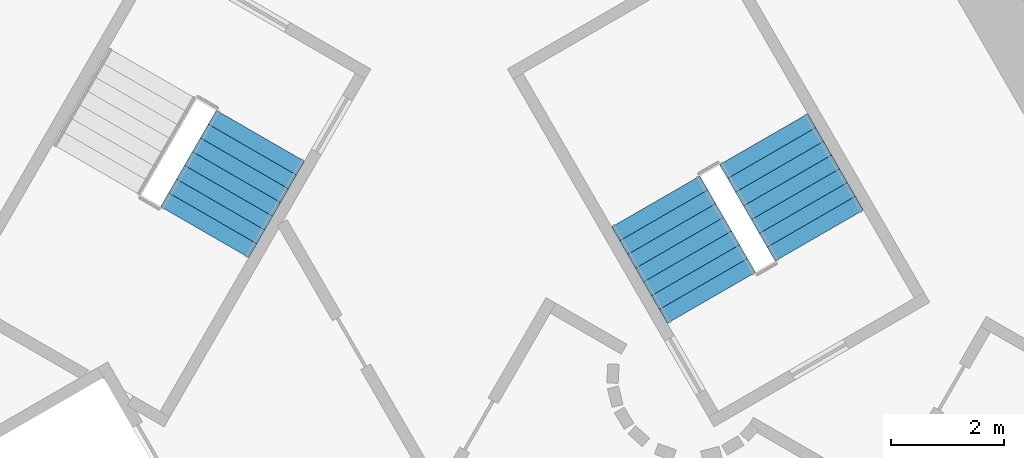
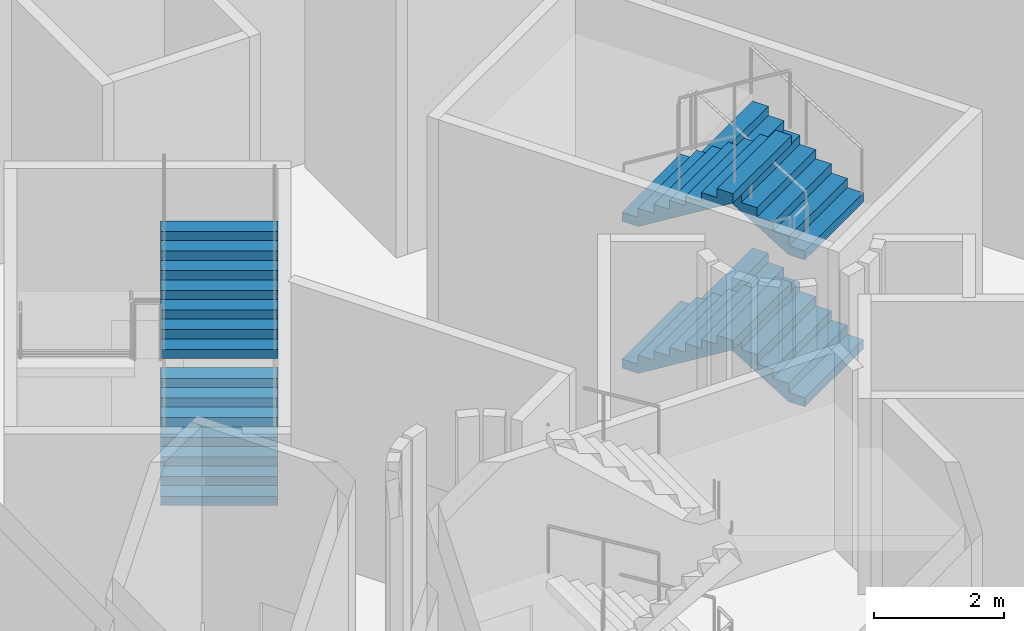
# One storey, part 10 of 12: 6 stair flights, 2 elements without a shape of their own.
"""IFC4 building model written with IfcOpenShell, lengths in metres."""

from ifc_helpers import new_model, si_unit, direction, frame, origin, place, context, subcontext, project, spatial, triangles, material, type_object, element, aggregate, save


model = new_model("IFC4")

# Units and contexts
model_context = context("Model", 3, precision=1e-05, world=origin(), true_north=direction((0.0, 1.0)))
body_context = subcontext(model_context, "Body", "Model", "MODEL_VIEW")
ifc_project = project(units=[si_unit("LENGTHUNIT", "METRE"), si_unit("AREAUNIT", "SQUARE_METRE"), si_unit("VOLUMEUNIT", "CUBIC_METRE"), si_unit("PLANEANGLEUNIT", "RADIAN"), si_unit("MASSUNIT", "GRAM", prefix="KILO")], contexts=[model_context])

# Site, building, storey
site_placement = place(None, origin())
site = spatial("IfcSite", under=ifc_project, at=site_placement, CompositionType="ELEMENT")
building_placement = place(site_placement, origin())
building = spatial("IfcBuilding", under=site, at=building_placement, Name="Entoto Arch Interchange Tower", CompositionType="ELEMENT")
storey_placement = place(building_placement, frame((0.0, 0.0, -11.0)))
storey = spatial("IfcBuildingStorey", under=building, at=storey_placement, Name="B2", CompositionType="ELEMENT", Elevation=-11.0)

# Stair, stair flights
ifc_material = material(Name="Concrete C40/50", Category="concrete")
stair_type = type_object("IfcStairType", Name="EXIT STAIR RC 1800", PredefinedType="HALF_TURN_STAIR", material=ifc_material)
stair_1_placement = place(storey_placement, origin())
stair_1 = element("IfcStair", 1, at=stair_1_placement, inside=storey, type_object=stair_type, Name="B2 Exit stair NE", PredefinedType="HALF_TURN_STAIR")
stair_flight_type = type_object("IfcStairFlightType", Name="EXIT STAIR FLIGHT RC 1800", PredefinedType="STRAIGHT", material=ifc_material)
stair_flight_1_placement = place(storey_placement, frame((6.7138671875, 4.470947265625, 0.0), z_axis=(0.0, 0.0, 1.0), x_axis=(-0.5, 0.866025403784, 0.0)))
stair_flight_1 = element("IfcStairFlight", 2, at=stair_flight_1_placement, type_object=stair_flight_type, Name="ST-NE flight 1", NumberOfRisers=8, NumberOfTreads=7, PredefinedType="STRAIGHT", RiserHeight=0.171875, TreadLength=0.28, context=body_context, shape_type="Tessellation", body=[
    triangles([(-0.003, -0.900024, 0.0), (-0.003, -0.900024, 0.171875), (0.28, -0.900024, 0.171875), (0.28, -0.900024, 0.34375), (0.56, -0.900024, 0.34375), (0.56, -0.900024, 0.515625), (0.84, -0.900024, 0.515625), (0.84, -0.900024, 0.6875), (1.12, -0.900024, 0.6875), (1.12, -0.900024, 0.859375), (1.4, -0.900024, 0.859375), (1.4, -0.900024, 1.03125), (1.68, -0.900024, 1.03125), (1.68, -0.900024, 1.203125), (1.96, -0.900024, 1.203125), (1.963, -0.900024, 1.203125), (1.963, -0.900024, 1.029076), (0.286542, -0.900024, 0.0), (-0.003, 0.900024, 0.0), (-0.003, 0.900024, 0.171875), (0.28, 0.900024, 0.171875), (0.28, 0.900024, 0.34375), (0.56, 0.900024, 0.34375), (0.56, 0.900024, 0.515625), (0.84, 0.900024, 0.515625), (0.84, 0.900024, 0.6875), (1.12, 0.900024, 0.6875), (1.12, 0.900024, 0.859375), (1.4, 0.900024, 0.859375), (1.4, 0.900024, 1.03125), (1.68, 0.900024, 1.03125), (1.68, 0.900024, 1.203125), (1.96, 0.900024, 1.203125), (1.963, 0.900024, 1.203125), (1.963, 0.900024, 1.029076), (0.286542, 0.900024, 0.0), (-0.003, -0.450012, 0.0), (-0.003, -0.450012, 0.171875), (-0.003, 0.0, 0.0), (-0.003, 0.0, 0.171875), (-0.003, 0.450012, 0.0), (-0.003, 0.450012, 0.171875), (0.28, -0.450012, 0.171875), (0.28, 0.0, 0.171875), (0.28, 0.450012, 0.171875), (0.28, -0.450012, 0.34375), (0.28, 0.0, 0.34375), (0.28, 0.450012, 0.34375), (0.56, -0.450012, 0.34375), (0.56, 0.0, 0.34375), (0.56, 0.450012, 0.34375), (0.56, -0.450012, 0.515625), (0.56, 0.0, 0.515625), (0.56, 0.450012, 0.515625), (0.84, -0.450012, 0.515625), (0.84, 0.0, 0.515625), (0.84, 0.450012, 0.515625), (0.84, -0.450012, 0.6875), (0.84, 0.0, 0.6875), (0.84, 0.450012, 0.6875), (1.12, -0.450012, 0.6875), (1.12, 0.0, 0.6875), (1.12, 0.450012, 0.6875), (1.12, -0.450012, 0.859375), (1.12, 0.0, 0.859375), (1.12, 0.450012, 0.859375), (1.4, -0.450012, 0.859375), (1.4, 0.0, 0.859375), (1.4, 0.450012, 0.859375), (1.4, -0.450012, 1.03125), (1.4, 0.0, 1.03125), (1.4, 0.450012, 1.03125), (1.68, -0.450012, 1.03125), (1.68, 0.0, 1.03125), (1.68, 0.450012, 1.03125), (1.68, -0.450012, 1.203125), (1.68, 0.0, 1.203125), (1.68, 0.450012, 1.203125), (1.96, -0.450012, 1.203125), (1.96, 0.0, 1.203125), (1.96, 0.450012, 1.203125), (1.963, -0.450012, 1.203125), (1.963, 0.0, 1.203125), (1.963, 0.450012, 1.203125), (1.963, -0.450012, 1.029076), (1.963, 0.0, 1.029076), (1.963, 0.450012, 1.029076), (0.286542, -0.450012, 0.0), (0.286542, 0.0, 0.0), (0.286542, 0.450012, 0.0)], [[1, 18, 17], [17, 16, 15], [17, 15, 14], [17, 14, 13], [17, 13, 12], [17, 12, 11], [11, 10, 9], [17, 11, 9], [9, 8, 7], [17, 9, 7], [7, 6, 5], [17, 7, 5], [5, 4, 3], [17, 5, 3], [1, 17, 3], [3, 2, 1], [19, 35, 36], [35, 33, 34], [35, 32, 33], [35, 31, 32], [35, 30, 31], [35, 29, 30], [29, 27, 28], [35, 27, 29], [27, 25, 26], [35, 25, 27], [25, 23, 24], [35, 23, 25], [23, 21, 22], [35, 21, 23], [19, 21, 35], [21, 19, 20], [1, 2, 38], [1, 38, 37], [37, 38, 40], [37, 40, 39], [39, 40, 42], [39, 42, 41], [41, 42, 20], [41, 20, 19], [2, 3, 43], [2, 43, 38], [38, 43, 44], [38, 44, 40], [40, 44, 45], [40, 45, 42], [42, 45, 21], [42, 21, 20], [3, 4, 46], [3, 46, 43], [43, 46, 47], [43, 47, 44], [44, 47, 48], [44, 48, 45], [45, 48, 22], [45, 22, 21], [4, 5, 49], [4, 49, 46], [46, 49, 50], [46, 50, 47], [47, 50, 51], [47, 51, 48], [48, 51, 23], [48, 23, 22], [5, 6, 52], [5, 52, 49], [49, 52, 53], [49, 53, 50], [50, 53, 54], [50, 54, 51], [51, 54, 24], [51, 24, 23], [6, 7, 55], [6, 55, 52], [52, 55, 56], [52, 56, 53], [53, 56, 57], [53, 57, 54], [54, 57, 25], [54, 25, 24], [7, 8, 58], [7, 58, 55], [55, 58, 59], [55, 59, 56], [56, 59, 60], [56, 60, 57], [57, 60, 26], [57, 26, 25], [8, 9, 61], [8, 61, 58], [58, 61, 62], [58, 62, 59], [59, 62, 63], [59, 63, 60], [60, 63, 27], [60, 27, 26], [9, 10, 64], [9, 64, 61], [61, 64, 65], [61, 65, 62], [62, 65, 66], [62, 66, 63], [63, 66, 28], [63, 28, 27], [10, 11, 67], [10, 67, 64], [64, 67, 68], [64, 68, 65], [65, 68, 69], [65, 69, 66], [66, 69, 29], [66, 29, 28], [11, 12, 70], [11, 70, 67], [67, 70, 71], [67, 71, 68], [68, 71, 72], [68, 72, 69], [69, 72, 30], [69, 30, 29], [12, 13, 73], [12, 73, 70], [70, 73, 74], [70, 74, 71], [71, 74, 75], [71, 75, 72], [72, 75, 31], [72, 31, 30], [13, 14, 76], [13, 76, 73], [73, 76, 77], [73, 77, 74], [74, 77, 78], [74, 78, 75], [75, 78, 32], [75, 32, 31], [14, 15, 79], [14, 79, 76], [76, 79, 80], [76, 80, 77], [77, 80, 81], [77, 81, 78], [78, 81, 33], [78, 33, 32], [15, 16, 82], [15, 82, 79], [79, 82, 83], [79, 83, 80], [80, 83, 84], [80, 84, 81], [81, 84, 34], [81, 34, 33], [16, 17, 85], [16, 85, 82], [82, 85, 86], [82, 86, 83], [83, 86, 87], [83, 87, 84], [84, 87, 35], [84, 35, 34], [17, 18, 88], [17, 88, 85], [85, 88, 89], [85, 89, 86], [86, 89, 90], [86, 90, 87], [87, 90, 36], [87, 36, 35], [18, 1, 37], [18, 37, 88], [88, 37, 39], [88, 39, 89], [89, 39, 41], [89, 41, 90], [90, 41, 19], [90, 19, 36]], closed=True),
])
stair_flight_2_placement = place(storey_placement, frame((3.82861328125, 5.068359375, 1.375), z_axis=(0.0, 0.0, 1.0), x_axis=(0.5, -0.866025403784, 0.0)))
stair_flight_2 = element("IfcStairFlight", 3, at=stair_flight_2_placement, type_object=stair_flight_type, Name="ST-NE flight 2", NumberOfRisers=8, NumberOfTreads=7, PredefinedType="STRAIGHT", RiserHeight=0.171875, TreadLength=0.28, context=body_context, shape_type="Tessellation", body=[
    triangles([(-0.003, -0.900024, 0.0), (-0.003, -0.900024, 0.171875), (0.28, -0.900024, 0.171875), (0.28, -0.900024, 0.34375), (0.56, -0.900024, 0.34375), (0.56, -0.900024, 0.515625), (0.84, -0.900024, 0.515625), (0.84, -0.900024, 0.6875), (1.12, -0.900024, 0.6875), (1.12, -0.900024, 0.859375), (1.4, -0.900024, 0.859375), (1.4, -0.900024, 1.03125), (1.68, -0.900024, 1.03125), (1.68, -0.900024, 1.203125), (1.96, -0.900024, 1.203125), (1.963, -0.900024, 1.203125), (1.963, -0.900024, 1.029076), (0.286542, -0.900024, 0.0), (-0.003, 0.900024, 0.0), (-0.003, 0.900024, 0.171875), (0.28, 0.900024, 0.171875), (0.28, 0.900024, 0.34375), (0.56, 0.900024, 0.34375), (0.56, 0.900024, 0.515625), (0.84, 0.900024, 0.515625), (0.84, 0.900024, 0.6875), (1.12, 0.900024, 0.6875), (1.12, 0.900024, 0.859375), (1.4, 0.900024, 0.859375), (1.4, 0.900024, 1.03125), (1.68, 0.900024, 1.03125), (1.68, 0.900024, 1.203125), (1.96, 0.900024, 1.203125), (1.963, 0.900024, 1.203125), (1.963, 0.900024, 1.029076), (0.286542, 0.900024, 0.0), (-0.003, -0.450012, 0.0), (-0.003, -0.450012, 0.171875), (-0.003, 0.0, 0.0), (-0.003, 0.0, 0.171875), (-0.003, 0.450012, 0.0), (-0.003, 0.450012, 0.171875), (0.28, -0.450012, 0.171875), (0.28, 0.0, 0.171875), (0.28, 0.450012, 0.171875), (0.28, -0.450012, 0.34375), (0.28, 0.0, 0.34375), (0.28, 0.450012, 0.34375), (0.56, -0.450012, 0.34375), (0.56, 0.0, 0.34375), (0.56, 0.450012, 0.34375), (0.56, -0.450012, 0.515625), (0.56, 0.0, 0.515625), (0.56, 0.450012, 0.515625), (0.84, -0.450012, 0.515625), (0.84, 0.0, 0.515625), (0.84, 0.450012, 0.515625), (0.84, -0.450012, 0.6875), (0.84, 0.0, 0.6875), (0.84, 0.450012, 0.6875), (1.12, -0.450012, 0.6875), (1.12, 0.0, 0.6875), (1.12, 0.450012, 0.6875), (1.12, -0.450012, 0.859375), (1.12, 0.0, 0.859375), (1.12, 0.450012, 0.859375), (1.4, -0.450012, 0.859375), (1.4, 0.0, 0.859375), (1.4, 0.450012, 0.859375), (1.4, -0.450012, 1.03125), (1.4, 0.0, 1.03125), (1.4, 0.450012, 1.03125), (1.68, -0.450012, 1.03125), (1.68, 0.0, 1.03125), (1.68, 0.450012, 1.03125), (1.68, -0.450012, 1.203125), (1.68, 0.0, 1.203125), (1.68, 0.450012, 1.203125), (1.96, -0.450012, 1.203125), (1.96, 0.0, 1.203125), (1.96, 0.450012, 1.203125), (1.963, -0.450012, 1.203125), (1.963, 0.0, 1.203125), (1.963, 0.450012, 1.203125), (1.963, -0.450012, 1.029076), (1.963, 0.0, 1.029076), (1.963, 0.450012, 1.029076), (0.286542, -0.450012, 0.0), (0.286542, 0.0, 0.0), (0.286542, 0.450012, 0.0)], [[1, 18, 17], [17, 16, 15], [17, 15, 14], [17, 14, 13], [17, 13, 12], [17, 12, 11], [11, 10, 9], [17, 11, 9], [9, 8, 7], [17, 9, 7], [7, 6, 5], [17, 7, 5], [5, 4, 3], [17, 5, 3], [1, 17, 3], [3, 2, 1], [19, 35, 36], [35, 33, 34], [35, 32, 33], [35, 31, 32], [35, 30, 31], [35, 29, 30], [29, 27, 28], [35, 27, 29], [27, 25, 26], [35, 25, 27], [25, 23, 24], [35, 23, 25], [23, 21, 22], [35, 21, 23], [19, 21, 35], [21, 19, 20], [1, 2, 38], [1, 38, 37], [37, 38, 40], [37, 40, 39], [39, 40, 42], [39, 42, 41], [41, 42, 20], [41, 20, 19], [2, 3, 43], [2, 43, 38], [38, 43, 44], [38, 44, 40], [40, 44, 45], [40, 45, 42], [42, 45, 21], [42, 21, 20], [3, 4, 46], [3, 46, 43], [43, 46, 47], [43, 47, 44], [44, 47, 48], [44, 48, 45], [45, 48, 22], [45, 22, 21], [4, 5, 49], [4, 49, 46], [46, 49, 50], [46, 50, 47], [47, 50, 51], [47, 51, 48], [48, 51, 23], [48, 23, 22], [5, 6, 52], [5, 52, 49], [49, 52, 53], [49, 53, 50], [50, 53, 54], [50, 54, 51], [51, 54, 24], [51, 24, 23], [6, 7, 55], [6, 55, 52], [52, 55, 56], [52, 56, 53], [53, 56, 57], [53, 57, 54], [54, 57, 25], [54, 25, 24], [7, 8, 58], [7, 58, 55], [55, 58, 59], [55, 59, 56], [56, 59, 60], [56, 60, 57], [57, 60, 26], [57, 26, 25], [8, 9, 61], [8, 61, 58], [58, 61, 62], [58, 62, 59], [59, 62, 63], [59, 63, 60], [60, 63, 27], [60, 27, 26], [9, 10, 64], [9, 64, 61], [61, 64, 65], [61, 65, 62], [62, 65, 66], [62, 66, 63], [63, 66, 28], [63, 28, 27], [10, 11, 67], [10, 67, 64], [64, 67, 68], [64, 68, 65], [65, 68, 69], [65, 69, 66], [66, 69, 29], [66, 29, 28], [11, 12, 70], [11, 70, 67], [67, 70, 71], [67, 71, 68], [68, 71, 72], [68, 72, 69], [69, 72, 30], [69, 30, 29], [12, 13, 73], [12, 73, 70], [70, 73, 74], [70, 74, 71], [71, 74, 75], [71, 75, 72], [72, 75, 31], [72, 31, 30], [13, 14, 76], [13, 76, 73], [73, 76, 77], [73, 77, 74], [74, 77, 78], [74, 78, 75], [75, 78, 32], [75, 32, 31], [14, 15, 79], [14, 79, 76], [76, 79, 80], [76, 80, 77], [77, 80, 81], [77, 81, 78], [78, 81, 33], [78, 33, 32], [15, 16, 82], [15, 82, 79], [79, 82, 83], [79, 83, 80], [80, 83, 84], [80, 84, 81], [81, 84, 34], [81, 34, 33], [16, 17, 85], [16, 85, 82], [82, 85, 86], [82, 86, 83], [83, 86, 87], [83, 87, 84], [84, 87, 35], [84, 35, 34], [17, 18, 88], [17, 88, 85], [85, 88, 89], [85, 89, 86], [86, 89, 90], [86, 90, 87], [87, 90, 36], [87, 36, 35], [18, 1, 37], [18, 37, 88], [88, 37, 39], [88, 39, 89], [89, 39, 41], [89, 41, 90], [90, 41, 19], [90, 19, 36]], closed=True),
])
stair_flight_3_placement = place(storey_placement, frame((6.7138671875, 4.470947265625, 2.75), z_axis=(0.0, 0.0, 1.0), x_axis=(-0.5, 0.866025403784, 0.0)))
stair_flight_3 = element("IfcStairFlight", 4, at=stair_flight_3_placement, type_object=stair_flight_type, Name="ST-NE flight 3", NumberOfRisers=8, NumberOfTreads=7, PredefinedType="STRAIGHT", RiserHeight=0.171875, TreadLength=0.28, context=body_context, shape_type="Tessellation", body=[
    triangles([(-0.003, -0.900024, 0.0), (-0.003, -0.900024, 0.171875), (0.28, -0.900024, 0.171875), (0.28, -0.900024, 0.34375), (0.56, -0.900024, 0.34375), (0.56, -0.900024, 0.515625), (0.84, -0.900024, 0.515625), (0.84, -0.900024, 0.6875), (1.12, -0.900024, 0.6875), (1.12, -0.900024, 0.859375), (1.4, -0.900024, 0.859375), (1.4, -0.900024, 1.03125), (1.68, -0.900024, 1.03125), (1.68, -0.900024, 1.203125), (1.96, -0.900024, 1.203125), (1.963, -0.900024, 1.203125), (1.963, -0.900024, 1.029076), (0.286542, -0.900024, 0.0), (-0.003, 0.900024, 0.0), (-0.003, 0.900024, 0.171875), (0.28, 0.900024, 0.171875), (0.28, 0.900024, 0.34375), (0.56, 0.900024, 0.34375), (0.56, 0.900024, 0.515625), (0.84, 0.900024, 0.515625), (0.84, 0.900024, 0.6875), (1.12, 0.900024, 0.6875), (1.12, 0.900024, 0.859375), (1.4, 0.900024, 0.859375), (1.4, 0.900024, 1.03125), (1.68, 0.900024, 1.03125), (1.68, 0.900024, 1.203125), (1.96, 0.900024, 1.203125), (1.963, 0.900024, 1.203125), (1.963, 0.900024, 1.029076), (0.286542, 0.900024, 0.0), (-0.003, -0.450012, 0.0), (-0.003, -0.450012, 0.171875), (-0.003, 0.0, 0.0), (-0.003, 0.0, 0.171875), (-0.003, 0.450012, 0.0), (-0.003, 0.450012, 0.171875), (0.28, -0.450012, 0.171875), (0.28, 0.0, 0.171875), (0.28, 0.450012, 0.171875), (0.28, -0.450012, 0.34375), (0.28, 0.0, 0.34375), (0.28, 0.450012, 0.34375), (0.56, -0.450012, 0.34375), (0.56, 0.0, 0.34375), (0.56, 0.450012, 0.34375), (0.56, -0.450012, 0.515625), (0.56, 0.0, 0.515625), (0.56, 0.450012, 0.515625), (0.84, -0.450012, 0.515625), (0.84, 0.0, 0.515625), (0.84, 0.450012, 0.515625), (0.84, -0.450012, 0.6875), (0.84, 0.0, 0.6875), (0.84, 0.450012, 0.6875), (1.12, -0.450012, 0.6875), (1.12, 0.0, 0.6875), (1.12, 0.450012, 0.6875), (1.12, -0.450012, 0.859375), (1.12, 0.0, 0.859375), (1.12, 0.450012, 0.859375), (1.4, -0.450012, 0.859375), (1.4, 0.0, 0.859375), (1.4, 0.450012, 0.859375), (1.4, -0.450012, 1.03125), (1.4, 0.0, 1.03125), (1.4, 0.450012, 1.03125), (1.68, -0.450012, 1.03125), (1.68, 0.0, 1.03125), (1.68, 0.450012, 1.03125), (1.68, -0.450012, 1.203125), (1.68, 0.0, 1.203125), (1.68, 0.450012, 1.203125), (1.96, -0.450012, 1.203125), (1.96, 0.0, 1.203125), (1.96, 0.450012, 1.203125), (1.963, -0.450012, 1.203125), (1.963, 0.0, 1.203125), (1.963, 0.450012, 1.203125), (1.963, -0.450012, 1.029076), (1.963, 0.0, 1.029076), (1.963, 0.450012, 1.029076), (0.286542, -0.450012, 0.0), (0.286542, 0.0, 0.0), (0.286542, 0.450012, 0.0)], [[1, 18, 17], [17, 16, 15], [17, 15, 14], [17, 14, 13], [17, 13, 12], [17, 12, 11], [11, 10, 9], [17, 11, 9], [9, 8, 7], [17, 9, 7], [7, 6, 5], [17, 7, 5], [5, 4, 3], [17, 5, 3], [1, 17, 3], [3, 2, 1], [19, 35, 36], [35, 33, 34], [35, 32, 33], [35, 31, 32], [35, 30, 31], [35, 29, 30], [29, 27, 28], [35, 27, 29], [27, 25, 26], [35, 25, 27], [25, 23, 24], [35, 23, 25], [23, 21, 22], [35, 21, 23], [19, 21, 35], [21, 19, 20], [1, 2, 38], [1, 38, 37], [37, 38, 40], [37, 40, 39], [39, 40, 42], [39, 42, 41], [41, 42, 20], [41, 20, 19], [2, 3, 43], [2, 43, 38], [38, 43, 44], [38, 44, 40], [40, 44, 45], [40, 45, 42], [42, 45, 21], [42, 21, 20], [3, 4, 46], [3, 46, 43], [43, 46, 47], [43, 47, 44], [44, 47, 48], [44, 48, 45], [45, 48, 22], [45, 22, 21], [4, 5, 49], [4, 49, 46], [46, 49, 50], [46, 50, 47], [47, 50, 51], [47, 51, 48], [48, 51, 23], [48, 23, 22], [5, 6, 52], [5, 52, 49], [49, 52, 53], [49, 53, 50], [50, 53, 54], [50, 54, 51], [51, 54, 24], [51, 24, 23], [6, 7, 55], [6, 55, 52], [52, 55, 56], [52, 56, 53], [53, 56, 57], [53, 57, 54], [54, 57, 25], [54, 25, 24], [7, 8, 58], [7, 58, 55], [55, 58, 59], [55, 59, 56], [56, 59, 60], [56, 60, 57], [57, 60, 26], [57, 26, 25], [8, 9, 61], [8, 61, 58], [58, 61, 62], [58, 62, 59], [59, 62, 63], [59, 63, 60], [60, 63, 27], [60, 27, 26], [9, 10, 64], [9, 64, 61], [61, 64, 65], [61, 65, 62], [62, 65, 66], [62, 66, 63], [63, 66, 28], [63, 28, 27], [10, 11, 67], [10, 67, 64], [64, 67, 68], [64, 68, 65], [65, 68, 69], [65, 69, 66], [66, 69, 29], [66, 29, 28], [11, 12, 70], [11, 70, 67], [67, 70, 71], [67, 71, 68], [68, 71, 72], [68, 72, 69], [69, 72, 30], [69, 30, 29], [12, 13, 73], [12, 73, 70], [70, 73, 74], [70, 74, 71], [71, 74, 75], [71, 75, 72], [72, 75, 31], [72, 31, 30], [13, 14, 76], [13, 76, 73], [73, 76, 77], [73, 77, 74], [74, 77, 78], [74, 78, 75], [75, 78, 32], [75, 32, 31], [14, 15, 79], [14, 79, 76], [76, 79, 80], [76, 80, 77], [77, 80, 81], [77, 81, 78], [78, 81, 33], [78, 33, 32], [15, 16, 82], [15, 82, 79], [79, 82, 83], [79, 83, 80], [80, 83, 84], [80, 84, 81], [81, 84, 34], [81, 34, 33], [16, 17, 85], [16, 85, 82], [82, 85, 86], [82, 86, 83], [83, 86, 87], [83, 87, 84], [84, 87, 35], [84, 35, 34], [17, 18, 88], [17, 88, 85], [85, 88, 89], [85, 89, 86], [86, 89, 90], [86, 90, 87], [87, 90, 36], [87, 36, 35], [18, 1, 37], [18, 37, 88], [88, 37, 39], [88, 39, 89], [89, 39, 41], [89, 41, 90], [90, 41, 19], [90, 19, 36]], closed=True),
])
stair_flight_4_placement = place(storey_placement, frame((3.82861328125, 5.068359375, 4.125), z_axis=(0.0, 0.0, 1.0), x_axis=(0.5, -0.866025403784, 0.0)))
stair_flight_4 = element("IfcStairFlight", 5, at=stair_flight_4_placement, type_object=stair_flight_type, Name="ST-NE flight 4", NumberOfRisers=8, NumberOfTreads=7, PredefinedType="STRAIGHT", RiserHeight=0.171875, TreadLength=0.28, context=body_context, shape_type="Tessellation", body=[
    triangles([(-0.003, -0.900024, 0.0), (-0.003, -0.900024, 0.171875), (0.28, -0.900024, 0.171875), (0.28, -0.900024, 0.34375), (0.56, -0.900024, 0.34375), (0.56, -0.900024, 0.515625), (0.84, -0.900024, 0.515625), (0.84, -0.900024, 0.6875), (1.12, -0.900024, 0.6875), (1.12, -0.900024, 0.859375), (1.4, -0.900024, 0.859375), (1.4, -0.900024, 1.03125), (1.68, -0.900024, 1.03125), (1.68, -0.900024, 1.203125), (1.96, -0.900024, 1.203125), (1.963, -0.900024, 1.203125), (1.963, -0.900024, 1.029076), (0.286542, -0.900024, 0.0), (-0.003, 0.900024, 0.0), (-0.003, 0.900024, 0.171875), (0.28, 0.900024, 0.171875), (0.28, 0.900024, 0.34375), (0.56, 0.900024, 0.34375), (0.56, 0.900024, 0.515625), (0.84, 0.900024, 0.515625), (0.84, 0.900024, 0.6875), (1.12, 0.900024, 0.6875), (1.12, 0.900024, 0.859375), (1.4, 0.900024, 0.859375), (1.4, 0.900024, 1.03125), (1.68, 0.900024, 1.03125), (1.68, 0.900024, 1.203125), (1.96, 0.900024, 1.203125), (1.963, 0.900024, 1.203125), (1.963, 0.900024, 1.029076), (0.286542, 0.900024, 0.0), (-0.003, -0.450012, 0.0), (-0.003, -0.450012, 0.171875), (-0.003, 0.0, 0.0), (-0.003, 0.0, 0.171875), (-0.003, 0.450012, 0.0), (-0.003, 0.450012, 0.171875), (0.28, -0.450012, 0.171875), (0.28, 0.0, 0.171875), (0.28, 0.450012, 0.171875), (0.28, -0.450012, 0.34375), (0.28, 0.0, 0.34375), (0.28, 0.450012, 0.34375), (0.56, -0.450012, 0.34375), (0.56, 0.0, 0.34375), (0.56, 0.450012, 0.34375), (0.56, -0.450012, 0.515625), (0.56, 0.0, 0.515625), (0.56, 0.450012, 0.515625), (0.84, -0.450012, 0.515625), (0.84, 0.0, 0.515625), (0.84, 0.450012, 0.515625), (0.84, -0.450012, 0.6875), (0.84, 0.0, 0.6875), (0.84, 0.450012, 0.6875), (1.12, -0.450012, 0.6875), (1.12, 0.0, 0.6875), (1.12, 0.450012, 0.6875), (1.12, -0.450012, 0.859375), (1.12, 0.0, 0.859375), (1.12, 0.450012, 0.859375), (1.4, -0.450012, 0.859375), (1.4, 0.0, 0.859375), (1.4, 0.450012, 0.859375), (1.4, -0.450012, 1.03125), (1.4, 0.0, 1.03125), (1.4, 0.450012, 1.03125), (1.68, -0.450012, 1.03125), (1.68, 0.0, 1.03125), (1.68, 0.450012, 1.03125), (1.68, -0.450012, 1.203125), (1.68, 0.0, 1.203125), (1.68, 0.450012, 1.203125), (1.96, -0.450012, 1.203125), (1.96, 0.0, 1.203125), (1.96, 0.450012, 1.203125), (1.963, -0.450012, 1.203125), (1.963, 0.0, 1.203125), (1.963, 0.450012, 1.203125), (1.963, -0.450012, 1.029076), (1.963, 0.0, 1.029076), (1.963, 0.450012, 1.029076), (0.286542, -0.450012, 0.0), (0.286542, 0.0, 0.0), (0.286542, 0.450012, 0.0)], [[1, 18, 17], [17, 16, 15], [17, 15, 14], [17, 14, 13], [17, 13, 12], [17, 12, 11], [11, 10, 9], [17, 11, 9], [9, 8, 7], [17, 9, 7], [7, 6, 5], [17, 7, 5], [5, 4, 3], [17, 5, 3], [1, 17, 3], [3, 2, 1], [19, 35, 36], [35, 33, 34], [35, 32, 33], [35, 31, 32], [35, 30, 31], [35, 29, 30], [29, 27, 28], [35, 27, 29], [27, 25, 26], [35, 25, 27], [25, 23, 24], [35, 23, 25], [23, 21, 22], [35, 21, 23], [19, 21, 35], [21, 19, 20], [1, 2, 38], [1, 38, 37], [37, 38, 40], [37, 40, 39], [39, 40, 42], [39, 42, 41], [41, 42, 20], [41, 20, 19], [2, 3, 43], [2, 43, 38], [38, 43, 44], [38, 44, 40], [40, 44, 45], [40, 45, 42], [42, 45, 21], [42, 21, 20], [3, 4, 46], [3, 46, 43], [43, 46, 47], [43, 47, 44], [44, 47, 48], [44, 48, 45], [45, 48, 22], [45, 22, 21], [4, 5, 49], [4, 49, 46], [46, 49, 50], [46, 50, 47], [47, 50, 51], [47, 51, 48], [48, 51, 23], [48, 23, 22], [5, 6, 52], [5, 52, 49], [49, 52, 53], [49, 53, 50], [50, 53, 54], [50, 54, 51], [51, 54, 24], [51, 24, 23], [6, 7, 55], [6, 55, 52], [52, 55, 56], [52, 56, 53], [53, 56, 57], [53, 57, 54], [54, 57, 25], [54, 25, 24], [7, 8, 58], [7, 58, 55], [55, 58, 59], [55, 59, 56], [56, 59, 60], [56, 60, 57], [57, 60, 26], [57, 26, 25], [8, 9, 61], [8, 61, 58], [58, 61, 62], [58, 62, 59], [59, 62, 63], [59, 63, 60], [60, 63, 27], [60, 27, 26], [9, 10, 64], [9, 64, 61], [61, 64, 65], [61, 65, 62], [62, 65, 66], [62, 66, 63], [63, 66, 28], [63, 28, 27], [10, 11, 67], [10, 67, 64], [64, 67, 68], [64, 68, 65], [65, 68, 69], [65, 69, 66], [66, 69, 29], [66, 29, 28], [11, 12, 70], [11, 70, 67], [67, 70, 71], [67, 71, 68], [68, 71, 72], [68, 72, 69], [69, 72, 30], [69, 30, 29], [12, 13, 73], [12, 73, 70], [70, 73, 74], [70, 74, 71], [71, 74, 75], [71, 75, 72], [72, 75, 31], [72, 31, 30], [13, 14, 76], [13, 76, 73], [73, 76, 77], [73, 77, 74], [74, 77, 78], [74, 78, 75], [75, 78, 32], [75, 32, 31], [14, 15, 79], [14, 79, 76], [76, 79, 80], [76, 80, 77], [77, 80, 81], [77, 81, 78], [78, 81, 33], [78, 33, 32], [15, 16, 82], [15, 82, 79], [79, 82, 83], [79, 83, 80], [80, 83, 84], [80, 84, 81], [81, 84, 34], [81, 34, 33], [16, 17, 85], [16, 85, 82], [82, 85, 86], [82, 86, 83], [83, 86, 87], [83, 87, 84], [84, 87, 35], [84, 35, 34], [17, 18, 88], [17, 88, 85], [85, 88, 89], [85, 89, 86], [86, 89, 90], [86, 90, 87], [87, 90, 36], [87, 36, 35], [18, 1, 37], [18, 37, 88], [88, 37, 39], [88, 39, 89], [89, 39, 41], [89, 41, 90], [90, 41, 19], [90, 19, 36]], closed=True),
])
aggregate(stair_1, [stair_flight_1, stair_flight_2, stair_flight_3, stair_flight_4])

stair_2_placement = place(storey_placement, origin())
stair_2 = element("IfcStair", 6, at=stair_2_placement, inside=storey, type_object=stair_type, Name="B2 Exit stair NW", PredefinedType="HALF_TURN_STAIR")
stair_flight_5_placement = place(storey_placement, frame((-4.138671875, 4.531494140625, 1.375), z_axis=(0.0, 0.0, 1.0), x_axis=(0.5, 0.866025403784, 0.0)))
stair_flight_5 = element("IfcStairFlight", 7, at=stair_flight_5_placement, type_object=stair_flight_type, Name="ST-NW flight 2", NumberOfRisers=8, NumberOfTreads=7, PredefinedType="STRAIGHT", RiserHeight=0.171875, TreadLength=0.28, context=body_context, shape_type="Tessellation", body=[
    triangles([(-0.003, -0.900024, 0.0), (-0.003, -0.900024, 0.171875), (0.28, -0.900024, 0.171875), (0.28, -0.900024, 0.34375), (0.56, -0.900024, 0.34375), (0.56, -0.900024, 0.515625), (0.84, -0.900024, 0.515625), (0.84, -0.900024, 0.6875), (1.12, -0.900024, 0.6875), (1.12, -0.900024, 0.859375), (1.4, -0.900024, 0.859375), (1.4, -0.900024, 1.03125), (1.68, -0.900024, 1.03125), (1.68, -0.900024, 1.203125), (1.96, -0.900024, 1.203125), (1.963, -0.900024, 1.203125), (1.963, -0.900024, 1.029076), (0.286542, -0.900024, 0.0), (-0.003, 0.900024, 0.0), (-0.003, 0.900024, 0.171875), (0.28, 0.900024, 0.171875), (0.28, 0.900024, 0.34375), (0.56, 0.900024, 0.34375), (0.56, 0.900024, 0.515625), (0.84, 0.900024, 0.515625), (0.84, 0.900024, 0.6875), (1.12, 0.900024, 0.6875), (1.12, 0.900024, 0.859375), (1.4, 0.900024, 0.859375), (1.4, 0.900024, 1.03125), (1.68, 0.900024, 1.03125), (1.68, 0.900024, 1.203125), (1.96, 0.900024, 1.203125), (1.963, 0.900024, 1.203125), (1.963, 0.900024, 1.029076), (0.286542, 0.900024, 0.0), (-0.003, -0.450012, 0.0), (-0.003, -0.450012, 0.171875), (-0.003, 0.0, 0.0), (-0.003, 0.0, 0.171875), (-0.003, 0.450012, 0.0), (-0.003, 0.450012, 0.171875), (0.28, -0.450012, 0.171875), (0.28, 0.0, 0.171875), (0.28, 0.450012, 0.171875), (0.28, -0.450012, 0.34375), (0.28, 0.0, 0.34375), (0.28, 0.450012, 0.34375), (0.56, -0.450012, 0.34375), (0.56, 0.0, 0.34375), (0.56, 0.450012, 0.34375), (0.56, -0.450012, 0.515625), (0.56, 0.0, 0.515625), (0.56, 0.450012, 0.515625), (0.84, -0.450012, 0.515625), (0.84, 0.0, 0.515625), (0.84, 0.450012, 0.515625), (0.84, -0.450012, 0.6875), (0.84, 0.0, 0.6875), (0.84, 0.450012, 0.6875), (1.12, -0.450012, 0.6875), (1.12, 0.0, 0.6875), (1.12, 0.450012, 0.6875), (1.12, -0.450012, 0.859375), (1.12, 0.0, 0.859375), (1.12, 0.450012, 0.859375), (1.4, -0.450012, 0.859375), (1.4, 0.0, 0.859375), (1.4, 0.450012, 0.859375), (1.4, -0.450012, 1.03125), (1.4, 0.0, 1.03125), (1.4, 0.450012, 1.03125), (1.68, -0.450012, 1.03125), (1.68, 0.0, 1.03125), (1.68, 0.450012, 1.03125), (1.68, -0.450012, 1.203125), (1.68, 0.0, 1.203125), (1.68, 0.450012, 1.203125), (1.96, -0.450012, 1.203125), (1.96, 0.0, 1.203125), (1.96, 0.450012, 1.203125), (1.963, -0.450012, 1.203125), (1.963, 0.0, 1.203125), (1.963, 0.450012, 1.203125), (1.963, -0.450012, 1.029076), (1.963, 0.0, 1.029076), (1.963, 0.450012, 1.029076), (0.286542, -0.450012, 0.0), (0.286542, 0.0, 0.0), (0.286542, 0.450012, 0.0)], [[1, 18, 17], [17, 16, 15], [17, 15, 14], [17, 14, 13], [17, 13, 12], [17, 12, 11], [11, 10, 9], [17, 11, 9], [9, 8, 7], [17, 9, 7], [7, 6, 5], [17, 7, 5], [5, 4, 3], [17, 5, 3], [1, 17, 3], [3, 2, 1], [19, 35, 36], [35, 33, 34], [35, 32, 33], [35, 31, 32], [35, 30, 31], [35, 29, 30], [29, 27, 28], [35, 27, 29], [27, 25, 26], [35, 25, 27], [25, 23, 24], [35, 23, 25], [23, 21, 22], [35, 21, 23], [19, 21, 35], [21, 19, 20], [1, 2, 38], [1, 38, 37], [37, 38, 40], [37, 40, 39], [39, 40, 42], [39, 42, 41], [41, 42, 20], [41, 20, 19], [2, 3, 43], [2, 43, 38], [38, 43, 44], [38, 44, 40], [40, 44, 45], [40, 45, 42], [42, 45, 21], [42, 21, 20], [3, 4, 46], [3, 46, 43], [43, 46, 47], [43, 47, 44], [44, 47, 48], [44, 48, 45], [45, 48, 22], [45, 22, 21], [4, 5, 49], [4, 49, 46], [46, 49, 50], [46, 50, 47], [47, 50, 51], [47, 51, 48], [48, 51, 23], [48, 23, 22], [5, 6, 52], [5, 52, 49], [49, 52, 53], [49, 53, 50], [50, 53, 54], [50, 54, 51], [51, 54, 24], [51, 24, 23], [6, 7, 55], [6, 55, 52], [52, 55, 56], [52, 56, 53], [53, 56, 57], [53, 57, 54], [54, 57, 25], [54, 25, 24], [7, 8, 58], [7, 58, 55], [55, 58, 59], [55, 59, 56], [56, 59, 60], [56, 60, 57], [57, 60, 26], [57, 26, 25], [8, 9, 61], [8, 61, 58], [58, 61, 62], [58, 62, 59], [59, 62, 63], [59, 63, 60], [60, 63, 27], [60, 27, 26], [9, 10, 64], [9, 64, 61], [61, 64, 65], [61, 65, 62], [62, 65, 66], [62, 66, 63], [63, 66, 28], [63, 28, 27], [10, 11, 67], [10, 67, 64], [64, 67, 68], [64, 68, 65], [65, 68, 69], [65, 69, 66], [66, 69, 29], [66, 29, 28], [11, 12, 70], [11, 70, 67], [67, 70, 71], [67, 71, 68], [68, 71, 72], [68, 72, 69], [69, 72, 30], [69, 30, 29], [12, 13, 73], [12, 73, 70], [70, 73, 74], [70, 74, 71], [71, 74, 75], [71, 75, 72], [72, 75, 31], [72, 31, 30], [13, 14, 76], [13, 76, 73], [73, 76, 77], [73, 77, 74], [74, 77, 78], [74, 78, 75], [75, 78, 32], [75, 32, 31], [14, 15, 79], [14, 79, 76], [76, 79, 80], [76, 80, 77], [77, 80, 81], [77, 81, 78], [78, 81, 33], [78, 33, 32], [15, 16, 82], [15, 82, 79], [79, 82, 83], [79, 83, 80], [80, 83, 84], [80, 84, 81], [81, 84, 34], [81, 34, 33], [16, 17, 85], [16, 85, 82], [82, 85, 86], [82, 86, 83], [83, 86, 87], [83, 87, 84], [84, 87, 35], [84, 35, 34], [17, 18, 88], [17, 88, 85], [85, 88, 89], [85, 89, 86], [86, 89, 90], [86, 90, 87], [87, 90, 36], [87, 36, 35], [18, 1, 37], [18, 37, 88], [88, 37, 39], [88, 39, 89], [89, 39, 41], [89, 41, 90], [90, 41, 19], [90, 19, 36]], closed=True),
])
stair_flight_6_placement = place(storey_placement, frame((-4.138671875, 4.531494140625, 4.125), z_axis=(0.0, 0.0, 1.0), x_axis=(0.5, 0.866025403784, 0.0)))
stair_flight_6 = element("IfcStairFlight", 8, at=stair_flight_6_placement, type_object=stair_flight_type, Name="ST-NW flight 4", NumberOfRisers=8, NumberOfTreads=7, PredefinedType="STRAIGHT", RiserHeight=0.171875, TreadLength=0.28, context=body_context, shape_type="Tessellation", body=[
    triangles([(-0.003, -0.900024, 0.0), (-0.003, -0.900024, 0.171875), (0.28, -0.900024, 0.171875), (0.28, -0.900024, 0.34375), (0.56, -0.900024, 0.34375), (0.56, -0.900024, 0.515625), (0.84, -0.900024, 0.515625), (0.84, -0.900024, 0.6875), (1.12, -0.900024, 0.6875), (1.12, -0.900024, 0.859375), (1.4, -0.900024, 0.859375), (1.4, -0.900024, 1.03125), (1.68, -0.900024, 1.03125), (1.68, -0.900024, 1.203125), (1.96, -0.900024, 1.203125), (1.963, -0.900024, 1.203125), (1.963, -0.900024, 1.029076), (0.286542, -0.900024, 0.0), (-0.003, 0.900024, 0.0), (-0.003, 0.900024, 0.171875), (0.28, 0.900024, 0.171875), (0.28, 0.900024, 0.34375), (0.56, 0.900024, 0.34375), (0.56, 0.900024, 0.515625), (0.84, 0.900024, 0.515625), (0.84, 0.900024, 0.6875), (1.12, 0.900024, 0.6875), (1.12, 0.900024, 0.859375), (1.4, 0.900024, 0.859375), (1.4, 0.900024, 1.03125), (1.68, 0.900024, 1.03125), (1.68, 0.900024, 1.203125), (1.96, 0.900024, 1.203125), (1.963, 0.900024, 1.203125), (1.963, 0.900024, 1.029076), (0.286542, 0.900024, 0.0), (-0.003, -0.450012, 0.0), (-0.003, -0.450012, 0.171875), (-0.003, 0.0, 0.0), (-0.003, 0.0, 0.171875), (-0.003, 0.450012, 0.0), (-0.003, 0.450012, 0.171875), (0.28, -0.450012, 0.171875), (0.28, 0.0, 0.171875), (0.28, 0.450012, 0.171875), (0.28, -0.450012, 0.34375), (0.28, 0.0, 0.34375), (0.28, 0.450012, 0.34375), (0.56, -0.450012, 0.34375), (0.56, 0.0, 0.34375), (0.56, 0.450012, 0.34375), (0.56, -0.450012, 0.515625), (0.56, 0.0, 0.515625), (0.56, 0.450012, 0.515625), (0.84, -0.450012, 0.515625), (0.84, 0.0, 0.515625), (0.84, 0.450012, 0.515625), (0.84, -0.450012, 0.6875), (0.84, 0.0, 0.6875), (0.84, 0.450012, 0.6875), (1.12, -0.450012, 0.6875), (1.12, 0.0, 0.6875), (1.12, 0.450012, 0.6875), (1.12, -0.450012, 0.859375), (1.12, 0.0, 0.859375), (1.12, 0.450012, 0.859375), (1.4, -0.450012, 0.859375), (1.4, 0.0, 0.859375), (1.4, 0.450012, 0.859375), (1.4, -0.450012, 1.03125), (1.4, 0.0, 1.03125), (1.4, 0.450012, 1.03125), (1.68, -0.450012, 1.03125), (1.68, 0.0, 1.03125), (1.68, 0.450012, 1.03125), (1.68, -0.450012, 1.203125), (1.68, 0.0, 1.203125), (1.68, 0.450012, 1.203125), (1.96, -0.450012, 1.203125), (1.96, 0.0, 1.203125), (1.96, 0.450012, 1.203125), (1.963, -0.450012, 1.203125), (1.963, 0.0, 1.203125), (1.963, 0.450012, 1.203125), (1.963, -0.450012, 1.029076), (1.963, 0.0, 1.029076), (1.963, 0.450012, 1.029076), (0.286542, -0.450012, 0.0), (0.286542, 0.0, 0.0), (0.286542, 0.450012, 0.0)], [[1, 18, 17], [17, 16, 15], [17, 15, 14], [17, 14, 13], [17, 13, 12], [17, 12, 11], [11, 10, 9], [17, 11, 9], [9, 8, 7], [17, 9, 7], [7, 6, 5], [17, 7, 5], [5, 4, 3], [17, 5, 3], [1, 17, 3], [3, 2, 1], [19, 35, 36], [35, 33, 34], [35, 32, 33], [35, 31, 32], [35, 30, 31], [35, 29, 30], [29, 27, 28], [35, 27, 29], [27, 25, 26], [35, 25, 27], [25, 23, 24], [35, 23, 25], [23, 21, 22], [35, 21, 23], [19, 21, 35], [21, 19, 20], [1, 2, 38], [1, 38, 37], [37, 38, 40], [37, 40, 39], [39, 40, 42], [39, 42, 41], [41, 42, 20], [41, 20, 19], [2, 3, 43], [2, 43, 38], [38, 43, 44], [38, 44, 40], [40, 44, 45], [40, 45, 42], [42, 45, 21], [42, 21, 20], [3, 4, 46], [3, 46, 43], [43, 46, 47], [43, 47, 44], [44, 47, 48], [44, 48, 45], [45, 48, 22], [45, 22, 21], [4, 5, 49], [4, 49, 46], [46, 49, 50], [46, 50, 47], [47, 50, 51], [47, 51, 48], [48, 51, 23], [48, 23, 22], [5, 6, 52], [5, 52, 49], [49, 52, 53], [49, 53, 50], [50, 53, 54], [50, 54, 51], [51, 54, 24], [51, 24, 23], [6, 7, 55], [6, 55, 52], [52, 55, 56], [52, 56, 53], [53, 56, 57], [53, 57, 54], [54, 57, 25], [54, 25, 24], [7, 8, 58], [7, 58, 55], [55, 58, 59], [55, 59, 56], [56, 59, 60], [56, 60, 57], [57, 60, 26], [57, 26, 25], [8, 9, 61], [8, 61, 58], [58, 61, 62], [58, 62, 59], [59, 62, 63], [59, 63, 60], [60, 63, 27], [60, 27, 26], [9, 10, 64], [9, 64, 61], [61, 64, 65], [61, 65, 62], [62, 65, 66], [62, 66, 63], [63, 66, 28], [63, 28, 27], [10, 11, 67], [10, 67, 64], [64, 67, 68], [64, 68, 65], [65, 68, 69], [65, 69, 66], [66, 69, 29], [66, 29, 28], [11, 12, 70], [11, 70, 67], [67, 70, 71], [67, 71, 68], [68, 71, 72], [68, 72, 69], [69, 72, 30], [69, 30, 29], [12, 13, 73], [12, 73, 70], [70, 73, 74], [70, 74, 71], [71, 74, 75], [71, 75, 72], [72, 75, 31], [72, 31, 30], [13, 14, 76], [13, 76, 73], [73, 76, 77], [73, 77, 74], [74, 77, 78], [74, 78, 75], [75, 78, 32], [75, 32, 31], [14, 15, 79], [14, 79, 76], [76, 79, 80], [76, 80, 77], [77, 80, 81], [77, 81, 78], [78, 81, 33], [78, 33, 32], [15, 16, 82], [15, 82, 79], [79, 82, 83], [79, 83, 80], [80, 83, 84], [80, 84, 81], [81, 84, 34], [81, 34, 33], [16, 17, 85], [16, 85, 82], [82, 85, 86], [82, 86, 83], [83, 86, 87], [83, 87, 84], [84, 87, 35], [84, 35, 34], [17, 18, 88], [17, 88, 85], [85, 88, 89], [85, 89, 86], [86, 89, 90], [86, 90, 87], [87, 90, 36], [87, 36, 35], [18, 1, 37], [18, 37, 88], [88, 37, 39], [88, 39, 89], [89, 39, 41], [89, 41, 90], [90, 41, 19], [90, 19, 36]], closed=True),
])
aggregate(stair_2, [stair_flight_5, stair_flight_6])

save(model, "model.ifc")
